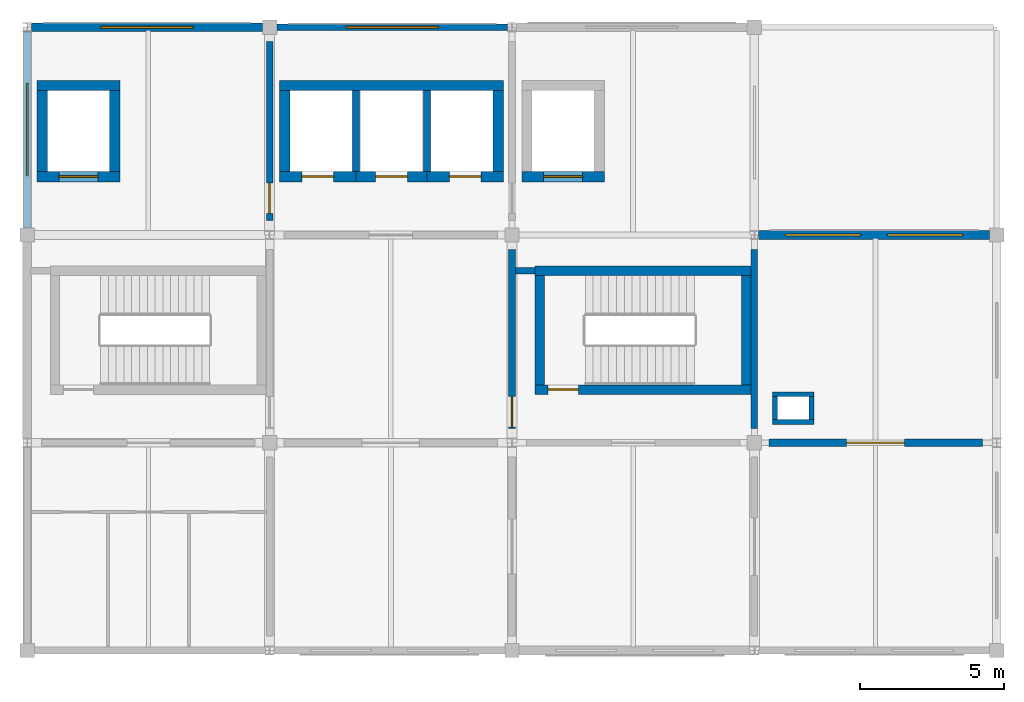
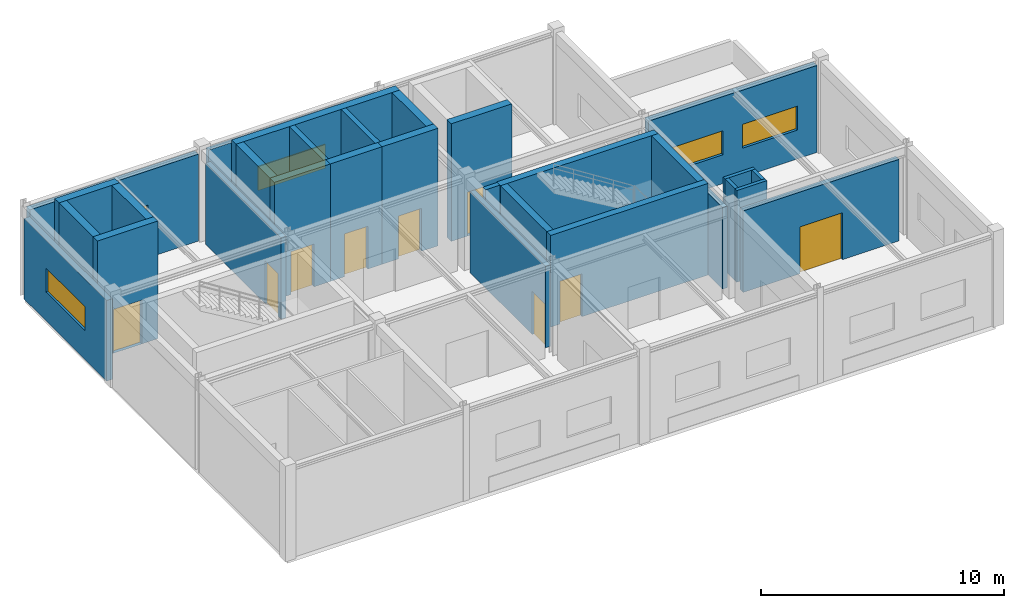
# One storey, part 3 of 5: 30 walls, 9 doors, 5 windows, 14 openings.
"""IFC4 building model written with IfcOpenShell, lengths in metres."""

from ifc_helpers import new_model, si_unit, derived_unit, direction, frame, frame_2d, origin, place, context, subcontext, project, spatial, rectangle, extrude, material, layer, layer_set, type_object, element, fill, save


model = new_model("IFC4")

# Units and contexts
model_context = context("Model", 3, precision=1e-05, world=origin(), true_north=direction((0.0, 1.0)))
body_context = subcontext(model_context, "Body", "Model", "MODEL_VIEW")
ifc_project = project(units=[si_unit("LENGTHUNIT", "METRE"), si_unit("AREAUNIT", "SQUARE_METRE"), si_unit("VOLUMEUNIT", "CUBIC_METRE"), si_unit("PLANEANGLEUNIT", "RADIAN"), si_unit("MASSUNIT", "GRAM", prefix="KILO"), derived_unit("THERMALTRANSMITTANCEUNIT", [(si_unit("MASSUNIT", "GRAM", prefix="KILO"), 1), (si_unit("TIMEUNIT", "SECOND"), -3), (si_unit("THERMODYNAMICTEMPERATUREUNIT", "KELVIN"), -1)])], contexts=[model_context])

# Site, building, storey
site_placement = place(None, origin())
site = spatial("IfcSite", under=ifc_project, at=site_placement, CompositionType="ELEMENT")
building_placement = place(site_placement, origin())
building = spatial("IfcBuilding", under=site, at=building_placement, Name="Veldstrom Oceanarium and Marine Research Institute", CompositionType="ELEMENT")
storey_placement = place(building_placement, frame((0.0, 0.0, 69.0)))
storey = spatial("IfcBuildingStorey", under=building, at=storey_placement, Name="L15", CompositionType="ELEMENT", Elevation=69.0)

# Wall, openings, windows
ifc_material_1 = material(Name="Masonry Cavity Wall", Category="masonry")
ifc_layer_1 = layer(ifc_material_1, 0.31005859375)
ifc_layer_set_1 = layer_set([ifc_layer_1], Name="ARC-WAL-EW1")
wall_type_1 = type_object("IfcWallType", Name="ARC-WAL-EW1", PredefinedType="SOLIDWALL", material=ifc_layer_set_1)
wall_1_placement = place(storey_placement, frame((100.949951171875, 57.60009765625, 0.0), z_axis=(0.0, 0.0, 1.0), x_axis=(1.0, 0.0, 0.0)))
wall_1 = element("IfcWall", 1, at=wall_1_placement, inside=storey, type_object=wall_type_1, Name="Exterior Facade Wall EW1 L15-293", PredefinedType="SOLIDWALL", context=body_context, shape_type="SweptSolid", body=[
    extrude(rectangle(XDim=8.0, YDim=0.31005859375, at=frame_2d((4.0, 0.0))), origin(), (0.0, 0.0, 1.0), 4.364990234375),
])
opening_1_placement = place(wall_1_placement, frame((0.933349609375, 0.0, 1.449951171875)))
opening_1 = element("IfcOpeningElement", 2, at=opening_1_placement, cuts=wall_1, Name="Opening W18", PredefinedType="OPENING", context=body_context, shape_type="SweptSolid", body=[
    extrude(rectangle(XDim=2.60009765625, YDim=1.199951171875, at=frame_2d((1.300048828125, 0.60009765625))), frame((0.0, 0.1650390625, 0.0), z_axis=(0.0, -1.0, 0.0), x_axis=(1.0, 0.0, 0.0)), (0.0, 0.0, 1.0), 0.330078125),
])
opening_2_placement = place(wall_1_placement, frame((4.466796875, 0.0, 1.449951171875)))
opening_2 = element("IfcOpeningElement", 3, at=opening_2_placement, cuts=wall_1, Name="Opening W18", PredefinedType="OPENING", context=body_context, shape_type="SweptSolid", body=[
    extrude(rectangle(XDim=2.60009765625, YDim=1.199951171875, at=frame_2d((1.300048828125, 0.60009765625))), frame((0.0, 0.1650390625, 0.0), z_axis=(0.0, -1.0, 0.0), x_axis=(1.0, 0.0, 0.0)), (0.0, 0.0, 1.0), 0.330078125),
])
ifc_material_2 = material(Name="Double Glazed Low-E IGU", Category="glass")
window_type_1 = type_object("IfcWindowType", Name="ARC-WIN-W18", PartitioningType="SINGLE_PANEL", PredefinedType="WINDOW", material=ifc_material_2)
window_1_placement = place(opening_1_placement, origin())
window_1 = element("IfcWindow", 4, at=window_1_placement, inside=storey, type_object=window_type_1, Name="Facade Window W18 L15-0293", OverallHeight=1.199951171875, OverallWidth=2.60009765625, PartitioningType="SINGLE_PANEL", PredefinedType="WINDOW", context=body_context, shape_type="SweptSolid", body=[
    extrude(rectangle(XDim=2.60009765625, YDim=1.199951171875, at=frame_2d((1.300048828125, 0.60009765625))), frame((0.0, 0.030029296875, 0.0), z_axis=(0.0, -1.0, 0.0), x_axis=(1.0, 0.0, 0.0)), (0.0, 0.0, 1.0), 0.06005859375),
])
fill(opening_1, window_1)
window_2_placement = place(opening_2_placement, origin())
window_2 = element("IfcWindow", 5, at=window_2_placement, inside=storey, type_object=window_type_1, Name="Facade Window W18 L15-0294", OverallHeight=1.199951171875, OverallWidth=2.60009765625, PartitioningType="SINGLE_PANEL", PredefinedType="WINDOW", context=body_context, shape_type="SweptSolid", body=[
    extrude(rectangle(XDim=2.60009765625, YDim=1.199951171875, at=frame_2d((1.300048828125, 0.60009765625))), frame((0.0, 0.030029296875, 0.0), z_axis=(0.0, -1.0, 0.0), x_axis=(1.0, 0.0, 0.0)), (0.0, 0.0, 1.0), 0.06005859375),
])
fill(opening_2, window_2)

# Wall, opening, window
ifc_material_3 = material(Name="Masonry Cavity Wall", Category="masonry")
ifc_layer_2 = layer(ifc_material_3, 0.2900390625)
ifc_layer_set_2 = layer_set([ifc_layer_2], Name="ARC-WAL-EW2")
wall_type_2 = type_object("IfcWallType", Name="ARC-WAL-EW2", PredefinedType="SOLIDWALL", material=ifc_layer_set_2)
wall_2_placement = place(storey_placement, frame((75.75, 64.800048828125, 0.0), z_axis=(0.0, 0.0, 1.0), x_axis=(1.0, 0.0, 0.0)))
wall_2 = element("IfcWall", 6, at=wall_2_placement, inside=storey, type_object=wall_type_2, Name="Exterior Facade Wall EW2 L15-284", PredefinedType="SOLIDWALL", context=body_context, shape_type="SweptSolid", body=[
    extrude(rectangle(XDim=8.0, YDim=0.2900390625, at=frame_2d((4.0, 0.0))), origin(), (0.0, 0.0, 1.0), 4.364990234375),
])
opening_3_placement = place(wall_2_placement, frame((2.39990234375, 0.0, 1.449951171875)))
opening_3 = element("IfcOpeningElement", 7, at=opening_3_placement, cuts=wall_2, Name="Opening W17", PredefinedType="OPENING", context=body_context, shape_type="SweptSolid", body=[
    extrude(rectangle(XDim=3.199951171875, YDim=1.199951171875, at=frame_2d((1.60009765625, 0.60009765625))), frame((0.0, 0.155029296875, 0.0), z_axis=(0.0, -1.0, 0.0), x_axis=(1.0, 0.0, 0.0)), (0.0, 0.0, 1.0), 0.31005859375),
])
ifc_material_4 = material(Name="Double Glazed Low-E IGU", Category="glass")
window_type_2 = type_object("IfcWindowType", Name="ARC-WIN-W17", PartitioningType="SINGLE_PANEL", PredefinedType="WINDOW", material=ifc_material_4)
window_3_placement = place(opening_3_placement, origin())
window_3 = element("IfcWindow", 8, at=window_3_placement, inside=storey, type_object=window_type_2, Name="Facade Window W17 L15-0280", OverallHeight=1.199951171875, OverallWidth=3.199951171875, PartitioningType="SINGLE_PANEL", PredefinedType="WINDOW", context=body_context, shape_type="SweptSolid", body=[
    extrude(rectangle(XDim=3.199951171875, YDim=1.199951171875, at=frame_2d((1.60009765625, 0.60009765625))), frame((0.0, 0.030029296875, 0.0), z_axis=(0.0, -1.0, 0.0), x_axis=(1.0, 0.0, 0.0)), (0.0, 0.0, 1.0), 0.06005859375),
])
fill(opening_3, window_3)

ifc_material_5 = material(Name="Masonry Cavity Wall", Category="masonry")
ifc_layer_3 = layer(ifc_material_5, 0.27001953125)
ifc_layer_set_3 = layer_set([ifc_layer_3], Name="ARC-WAL-EW3")
wall_type_3 = type_object("IfcWallType", Name="ARC-WAL-EW3", PredefinedType="SOLIDWALL", material=ifc_layer_set_3)
wall_3_placement = place(storey_placement, frame((75.60009765625, 57.85009765625, 0.0), z_axis=(0.0, 0.0, 1.0), x_axis=(0.0, 1.0, 0.0)))
wall_3 = element("IfcWall", 9, at=wall_3_placement, inside=storey, type_object=wall_type_3, Name="Exterior Facade Wall EW3 L15-285", PredefinedType="SOLIDWALL", context=body_context, shape_type="SweptSolid", body=[
    extrude(rectangle(XDim=6.7998046875, YDim=0.27001953125, at=frame_2d((3.39990234375, 0.0))), origin(), (0.0, 0.0, 1.0), 4.044921875),
])
opening_4_placement = place(wall_3_placement, frame((1.800048828125, 0.0, 1.449951171875)))
opening_4 = element("IfcOpeningElement", 10, at=opening_4_placement, cuts=wall_3, Name="Opening W17", PredefinedType="OPENING", context=body_context, shape_type="SweptSolid", body=[
    extrude(rectangle(XDim=3.199951171875, YDim=1.199951171875, at=frame_2d((1.60009765625, 0.60009765625))), frame((0.0, 0.14501953125, 0.0), z_axis=(0.0, -1.0, 0.0), x_axis=(1.0, 0.0, 0.0)), (0.0, 0.0, 1.0), 0.2900390625),
])
window_4_placement = place(opening_4_placement, origin())
window_4 = element("IfcWindow", 11, at=window_4_placement, inside=storey, type_object=window_type_2, Name="Facade Window W17 L15-0281", OverallHeight=1.199951171875, OverallWidth=3.199951171875, PartitioningType="SINGLE_PANEL", PredefinedType="WINDOW", context=body_context, shape_type="SweptSolid", body=[
    extrude(rectangle(XDim=3.199951171875, YDim=1.199951171875, at=frame_2d((1.60009765625, 0.60009765625))), frame((0.0, 0.030029296875, 0.0), z_axis=(0.0, -1.0, 0.0), x_axis=(1.0, 0.0, 0.0)), (0.0, 0.0, 1.0), 0.06005859375),
])
fill(opening_4, window_4)

ifc_material_6 = material(Name="Masonry Cavity Wall", Category="masonry")
ifc_layer_4 = layer(ifc_material_6, 0.215087890625)
ifc_layer_set_4 = layer_set([ifc_layer_4], Name="ARC-WAL-EW6")
wall_type_4 = type_object("IfcWallType", Name="ARC-WAL-EW6", PredefinedType="SOLIDWALL", material=ifc_layer_set_4)
wall_4_placement = place(storey_placement, frame((84.25, 64.800048828125, 0.0), z_axis=(0.0, 0.0, 1.0), x_axis=(1.0, 0.0, 0.0)))
wall_4 = element("IfcWall", 12, at=wall_4_placement, inside=storey, type_object=wall_type_4, Name="Exterior Facade Wall EW6 L15-287", PredefinedType="SOLIDWALL", context=body_context, shape_type="SweptSolid", body=[
    extrude(rectangle(XDim=8.0, YDim=0.215087890625, at=frame_2d((4.0, 0.0))), origin(), (0.0, 0.0, 1.0), 4.364990234375),
])
opening_5_placement = place(wall_4_placement, frame((2.39990234375, 0.0, 1.449951171875)))
opening_5 = element("IfcOpeningElement", 13, at=opening_5_placement, cuts=wall_4, Name="Opening W17", PredefinedType="OPENING", context=body_context, shape_type="SweptSolid", body=[
    extrude(rectangle(XDim=3.199951171875, YDim=1.199951171875, at=frame_2d((1.60009765625, 0.60009765625))), frame((0.0, 0.117431640625, 0.0), z_axis=(0.0, -1.0, 0.0), x_axis=(1.0, 0.0, 0.0)), (0.0, 0.0, 1.0), 0.235107421875),
])
window_5_placement = place(opening_5_placement, origin())
window_5 = element("IfcWindow", 14, at=window_5_placement, inside=storey, type_object=window_type_2, Name="Facade Window W17 L15-0284", OverallHeight=1.199951171875, OverallWidth=3.199951171875, PartitioningType="SINGLE_PANEL", PredefinedType="WINDOW", context=body_context, shape_type="SweptSolid", body=[
    extrude(rectangle(XDim=3.199951171875, YDim=1.199951171875, at=frame_2d((1.60009765625, 0.60009765625))), frame((0.0, 0.030029296875, 0.0), z_axis=(0.0, -1.0, 0.0), x_axis=(1.0, 0.0, 0.0)), (0.0, 0.0, 1.0), 0.06005859375),
])
fill(opening_5, window_5)

# Wall, opening, door
ifc_material_7 = material(Name="Masonry Fire Compartment Wall", Category="masonry")
ifc_layer_5 = layer(ifc_material_7, 0.22998046875)
ifc_layer_set_5 = layer_set([ifc_layer_5], Name="ARC-WAL-PT1")
wall_type_5 = type_object("IfcWallType", Name="ARC-WAL-PT1", PredefinedType="PARTITIONING", material=ifc_layer_set_5)
wall_5_placement = place(storey_placement, frame((84.0, 58.10009765625, 0.0), z_axis=(0.0, 0.0, 1.0), x_axis=(0.0, 1.0, 0.0)))
wall_5 = element("IfcWall", 15, at=wall_5_placement, inside=storey, type_object=wall_type_5, Name="Interior Partition PT1 L15-1792", PredefinedType="PARTITIONING", context=body_context, shape_type="SweptSolid", body=[
    extrude(rectangle(XDim=6.199951171875, YDim=0.22998046875, at=frame_2d((3.10009765625, 0.0))), origin(), (0.0, 0.0, 1.0), 4.094970703125),
])
opening_6_placement = place(wall_5_placement, frame((0.25, 0.0, 0.0)))
opening_6 = element("IfcOpeningElement", 16, at=opening_6_placement, cuts=wall_5, Name="Opening D-L15-1111", PredefinedType="OPENING", context=body_context, shape_type="SweptSolid", body=[
    extrude(rectangle(XDim=1.050048828125, YDim=2.14990234375, at=frame_2d((0.52490234375, 1.074951171875))), frame((0.0, 0.125, 0.0), z_axis=(0.0, -1.0, 0.0), x_axis=(1.0, 0.0, 0.0)), (0.0, 0.0, 1.0), 0.25),
])
ifc_material_8 = material(Name="Painted Steel Fire Door", Category="steel")
door_type_1 = type_object("IfcDoorType", Name="ARC-DOR-SD1", OperationType="SINGLE_SWING_LEFT", PredefinedType="DOOR", material=ifc_material_8)
door_1_placement = place(opening_6_placement, frame((1.050048828125, 0.0, 0.0), z_axis=(0.0, 0.0, 1.0), x_axis=(-1.0, 0.0, 0.0)))
door_1 = element("IfcDoor", 17, at=door_1_placement, inside=storey, type_object=door_type_1, Name="Interior Door D-L15-1111", OperationType="SINGLE_SWING_RIGHT", OverallHeight=2.14990234375, OverallWidth=1.050048828125, PredefinedType="DOOR", context=body_context, shape_type="SweptSolid", body=[
    extrude(rectangle(XDim=1.050048828125, YDim=2.14990234375, at=frame_2d((0.52490234375, 1.074951171875))), frame((0.0, 0.02490234375, 0.0), z_axis=(0.0, -1.0, 0.0), x_axis=(1.0, 0.0, 0.0)), (0.0, 0.0, 1.0), 0.050048828125),
])
fill(opening_6, door_1)

wall_6_placement = place(storey_placement, frame((92.39990234375, 50.89990234375, 0.0), z_axis=(0.0, 0.0, 1.0), x_axis=(0.0, 1.0, 0.0)))
wall_6 = element("IfcWall", 18, at=wall_6_placement, inside=storey, type_object=wall_type_5, Name="Interior Partition PT1 L15-1795", PredefinedType="PARTITIONING", context=body_context, shape_type="SweptSolid", body=[
    extrude(rectangle(XDim=6.2001953125, YDim=0.22998046875, at=frame_2d((3.10009765625, 0.0))), origin(), (0.0, 0.0, 1.0), 4.094970703125),
])
opening_7_placement = place(wall_6_placement, frame((0.050048828125, 0.0, 0.0)))
opening_7 = element("IfcOpeningElement", 19, at=opening_7_placement, cuts=wall_6, Name="Opening D-L15-1114", PredefinedType="OPENING", context=body_context, shape_type="SweptSolid", body=[
    extrude(rectangle(XDim=1.050048828125, YDim=2.14990234375, at=frame_2d((0.52490234375, 1.074951171875))), frame((0.0, 0.125, 0.0), z_axis=(0.0, -1.0, 0.0), x_axis=(1.0, 0.0, 0.0)), (0.0, 0.0, 1.0), 0.25),
])
door_2_placement = place(opening_7_placement, frame((1.050048828125, 0.0, 0.0), z_axis=(0.0, 0.0, 1.0), x_axis=(-1.0, 0.0, 0.0)))
door_2 = element("IfcDoor", 20, at=door_2_placement, inside=storey, type_object=door_type_1, Name="Interior Door D-L15-1114", OperationType="SINGLE_SWING_RIGHT", OverallHeight=2.14990234375, OverallWidth=1.050048828125, PredefinedType="DOOR", context=body_context, shape_type="SweptSolid", body=[
    extrude(rectangle(XDim=1.050048828125, YDim=2.14990234375, at=frame_2d((0.52490234375, 1.074951171875))), frame((0.0, 0.02490234375, 0.0), z_axis=(0.0, -1.0, 0.0), x_axis=(1.0, 0.0, 0.0)), (0.0, 0.0, 1.0), 0.050048828125),
])
fill(opening_7, door_2)

# Walls
wall_7_placement = place(storey_placement, frame((100.800048828125, 50.89990234375, 0.0), z_axis=(0.0, 0.0, 1.0), x_axis=(0.0, 1.0, 0.0)))
element("IfcWall", 21, at=wall_7_placement, inside=storey, type_object=wall_type_5, Name="Interior Partition PT1 L15-1800", PredefinedType="PARTITIONING", context=body_context, shape_type="SweptSolid", body=[
    extrude(rectangle(XDim=6.2001953125, YDim=0.22998046875, at=frame_2d((3.10009765625, 0.0))), origin(), (0.0, 0.0, 1.0), 4.094970703125),
])
wall_8_placement = place(storey_placement, frame((92.52001953125, 56.360107421875, 0.0), z_axis=(0.0, 0.0, 1.0), x_axis=(1.0, 0.0, 0.0)))
element("IfcWall", 22, at=wall_8_placement, inside=storey, type_object=wall_type_5, Name="Interior Partition PT1 L15-1801", PredefinedType="PARTITIONING", context=body_context, shape_type="SweptSolid", body=[
    extrude(rectangle(XDim=0.679931640625, YDim=0.22998046875, at=frame_2d((0.33984375, 0.0))), origin(), (0.0, 0.0, 1.0), 4.60009765625),
])

# Wall, opening, door
ifc_material_9 = material(Name="Plant Acoustic Masonry Wall", Category="masonry")
ifc_layer_6 = layer(ifc_material_9, 0.260009765625)
ifc_layer_set_6 = layer_set([ifc_layer_6], Name="ARC-WAL-PT8")
wall_type_6 = type_object("IfcWallType", Name="ARC-WAL-PT8", PredefinedType="PARTITIONING", material=ifc_layer_set_6)
wall_9_placement = place(storey_placement, frame((101.300048828125, 50.39990234375, 0.0), z_axis=(0.0, 0.0, 1.0), x_axis=(1.0, 0.0, 0.0)))
wall_9 = element("IfcWall", 23, at=wall_9_placement, inside=storey, type_object=wall_type_6, Name="Interior Partition PT8 L15-1802", PredefinedType="PARTITIONING", context=body_context, shape_type="SweptSolid", body=[
    extrude(rectangle(XDim=7.39990234375, YDim=0.260009765625, at=frame_2d((3.699951171875, 0.0))), origin(), (0.0, 0.0, 1.0), 4.094970703125),
])
opening_8_placement = place(wall_9_placement, frame((2.699951171875, 0.0, 0.0)))
opening_8 = element("IfcOpeningElement", 24, at=opening_8_placement, cuts=wall_9, Name="Opening D-L15-1119", PredefinedType="OPENING", context=body_context, shape_type="SweptSolid", body=[
    extrude(rectangle(XDim=2.0, YDim=2.35009765625, at=frame_2d((1.0, 1.175048828125))), frame((0.0, 0.139892578125, 0.0), z_axis=(0.0, -1.0, 0.0), x_axis=(1.0, 0.0, 0.0)), (0.0, 0.0, 1.0), 0.280029296875),
])
ifc_material_10 = material(Name="Filtration Hall Double Door", Category="steel")
door_type_2 = type_object("IfcDoorType", Name="ARC-DOR-ID18", OperationType="DOUBLE_DOOR_SINGLE_SWING", PredefinedType="DOOR", material=ifc_material_10)
door_3_placement = place(opening_8_placement, frame((2.0, 0.0, 0.0), z_axis=(0.0, 0.0, 1.0), x_axis=(-1.0, 0.0, 0.0)))
door_3 = element("IfcDoor", 25, at=door_3_placement, inside=storey, type_object=door_type_2, Name="Interior Door D-L15-1119", OperationType="DOUBLE_DOOR_SINGLE_SWING", OverallHeight=2.35009765625, OverallWidth=2.0, PredefinedType="DOOR", context=body_context, shape_type="SweptSolid", body=[
    extrude(rectangle(XDim=2.0, YDim=2.35009765625, at=frame_2d((1.0, 1.175048828125))), frame((0.0, 0.02490234375, 0.0), z_axis=(0.0, -1.0, 0.0), x_axis=(1.0, 0.0, 0.0)), (0.0, 0.0, 1.0), 0.050048828125),
])
fill(opening_8, door_3)

# Walls
ifc_material_11 = material(Name="Service Riser Fire Shaft Wall", Category="masonry")
ifc_layer_7 = layer(ifc_material_11, 0.1650390625)
ifc_layer_set_7 = layer_set([ifc_layer_7], Name="ARC-WAL-PT9")
wall_type_7 = type_object("IfcWallType", Name="ARC-WAL-PT9", PredefinedType="PARTITIONING", material=ifc_layer_set_7)
for number, where, z_axis, x_axis, name in (
    (26, (101.43505859375, 51.117431640625, 0.0), (0.0, 0.0, 1.0), (1.0, 0.0, 0.0), "Service Riser Fire Shaft Wall L15-CE-S"),
    (27, (101.43505859375, 52.08251953125, 0.0), (0.0, 0.0, 1.0), (1.0, 0.0, 0.0), "Service Riser Fire Shaft Wall L15-CE-N"),
):
    element("IfcWall", number, at=place(storey_placement, frame(where, z_axis=z_axis, x_axis=x_axis)), inside=storey, type_object=wall_type_7, Name=name, PredefinedType="PARTITIONING", context=body_context, shape_type="SweptSolid", body=[
        extrude(rectangle(XDim=1.429931640625, YDim=0.1650390625, at=frame_2d((0.71484375, 0.0))), origin(), (0.0, 0.0, 1.0), 4.60009765625),
    ])
for number, where, z_axis, x_axis, name in (
    (28, (101.517578125, 51.199951171875, 0.0), (0.0, 0.0, 1.0), (0.0, 1.0, 0.0), "Service Riser Fire Shaft Wall L15-CE-W"),
    (29, (102.782470703125, 51.199951171875, 0.0), (0.0, 0.0, 1.0), (0.0, 1.0, 0.0), "Service Riser Fire Shaft Wall L15-CE-E"),
):
    element("IfcWall", number, at=place(storey_placement, frame(where, z_axis=z_axis, x_axis=x_axis)), inside=storey, type_object=wall_type_7, Name=name, PredefinedType="PARTITIONING", context=body_context, shape_type="SweptSolid", body=[
        extrude(rectangle(XDim=0.800048828125, YDim=0.1650390625, at=frame_2d((0.39990234375, 0.0))), origin(), (0.0, 0.0, 1.0), 4.60009765625),
    ])
ifc_material_12 = material(Name="Concrete C40/50", Category="concrete")
ifc_layer_8 = layer(ifc_material_12, 0.360107421875)
ifc_layer_set_8 = layer_set([ifc_layer_8], Name="STR-WAL-WC2")
wall_type_8 = type_object("IfcWallType", Name="STR-WAL-WC2", PredefinedType="SHEAR", material=ifc_layer_set_8)
wall_10_placement = place(storey_placement, frame((75.93994140625, 62.780029296875, 0.0), z_axis=(0.0, 0.0, 1.0), x_axis=(1.0, 0.0, 0.0)))
element("IfcWall", 30, at=wall_10_placement, inside=storey, type_object=wall_type_8, Name="Lift Shaft Shear Wall N L15 9/8", PredefinedType="SHEAR", context=body_context, shape_type="SweptSolid", body=[
    extrude(rectangle(XDim=2.8701171875, YDim=0.360107421875, at=frame_2d((1.43505859375, 0.0))), origin(), (0.0, 0.0, 1.0), 5.89990234375),
])

# Wall, opening, door
wall_11_placement = place(storey_placement, frame((75.93994140625, 59.6201171875, 0.0), z_axis=(0.0, 0.0, 1.0), x_axis=(1.0, 0.0, 0.0)))
wall_11 = element("IfcWall", 31, at=wall_11_placement, inside=storey, type_object=wall_type_8, Name="Lift Shaft Front Shear Wall LF1 L15", PredefinedType="SHEAR", context=body_context, shape_type="SweptSolid", body=[
    extrude(rectangle(XDim=2.8701171875, YDim=0.360107421875, at=frame_2d((1.43505859375, 0.0))), origin(), (0.0, 0.0, 1.0), 5.89990234375),
])
opening_9_placement = place(wall_11_placement, frame((0.760009765625, 0.0, 0.0)))
opening_9 = element("IfcOpeningElement", 32, at=opening_9_placement, cuts=wall_11, Name="Opening LD-LF1-L15", PredefinedType="OPENING", context=body_context, shape_type="SweptSolid", body=[
    extrude(rectangle(XDim=1.35009765625, YDim=2.199951171875, at=frame_2d((0.675048828125, 1.10009765625))), frame((0.0, 0.18994140625, 0.0), z_axis=(0.0, -1.0, 0.0), x_axis=(1.0, 0.0, 0.0)), (0.0, 0.0, 1.0), 0.380126953125),
])
ifc_material_13 = material(Name="Stainless Steel Lift Landing Door", Category="steel")
door_type_3 = type_object("IfcDoorType", Name="ARC-DOR-LD3", OperationType="DOUBLE_DOOR_SLIDING", PredefinedType="DOOR", material=ifc_material_13)
door_4_placement = place(opening_9_placement, origin())
door_4 = element("IfcDoor", 33, at=door_4_placement, inside=storey, type_object=door_type_3, Name="Lift Landing Door LD-LF1-L15", OperationType="DOUBLE_DOOR_SLIDING", OverallHeight=2.199951171875, OverallWidth=1.35009765625, PredefinedType="DOOR", context=body_context, shape_type="SweptSolid", body=[
    extrude(rectangle(XDim=1.35009765625, YDim=2.199951171875, at=frame_2d((0.675048828125, 1.10009765625))), frame((0.0, 0.02490234375, 0.0), z_axis=(0.0, -1.0, 0.0), x_axis=(1.0, 0.0, 0.0)), (0.0, 0.0, 1.0), 0.050048828125),
])
fill(opening_9, door_4)

# Walls
for number, where, z_axis, x_axis, name in (
    (34, (76.1201171875, 59.800048828125, 0.0), (0.0, 0.0, 1.0), (0.0, 1.0, 0.0), "Lift Shaft Shear Wall W L15 9/8"),
    (35, (78.6298828125, 59.800048828125, 0.0), (0.0, 0.0, 1.0), (0.0, 1.0, 0.0), "Lift Shaft Shear Wall E L15 9/8"),
):
    element("IfcWall", number, at=place(storey_placement, frame(where, z_axis=z_axis, x_axis=x_axis)), inside=storey, type_object=wall_type_8, Name=name, PredefinedType="SHEAR", context=body_context, shape_type="SweptSolid", body=[
        extrude(rectangle(XDim=2.800048828125, YDim=0.360107421875, at=frame_2d((1.39990234375, 0.0))), origin(), (0.0, 0.0, 1.0), 5.89990234375),
    ])
wall_12_placement = place(storey_placement, frame((84.340087890625, 62.780029296875, 0.0), z_axis=(0.0, 0.0, 1.0), x_axis=(1.0, 0.0, 0.0)))
element("IfcWall", 36, at=wall_12_placement, inside=storey, type_object=wall_type_8, Name="Lift Shaft Shear Wall N L15 10/8", PredefinedType="SHEAR", context=body_context, shape_type="SweptSolid", body=[
    extrude(rectangle(XDim=7.77001953125, YDim=0.360107421875, at=frame_2d((3.885009765625, 0.0))), origin(), (0.0, 0.0, 1.0), 5.89990234375),
])

# Wall, opening, door
wall_13_placement = place(storey_placement, frame((84.340087890625, 59.6201171875, 0.0), z_axis=(0.0, 0.0, 1.0), x_axis=(1.0, 0.0, 0.0)))
wall_13 = element("IfcWall", 37, at=wall_13_placement, inside=storey, type_object=wall_type_8, Name="Lift Shaft Front Shear Wall LP1 L15", PredefinedType="SHEAR", context=body_context, shape_type="SweptSolid", body=[
    extrude(rectangle(XDim=2.659912109375, YDim=0.360107421875, at=frame_2d((1.330078125, 0.0))), origin(), (0.0, 0.0, 1.0), 5.89990234375),
])
opening_10_placement = place(wall_13_placement, frame((0.780029296875, 0.0, 0.0)))
opening_10 = element("IfcOpeningElement", 38, at=opening_10_placement, cuts=wall_13, Name="Opening LD-LP1-L15", PredefinedType="OPENING", context=body_context, shape_type="SweptSolid", body=[
    extrude(rectangle(XDim=1.10009765625, YDim=2.14990234375, at=frame_2d((0.550048828125, 1.074951171875))), frame((0.0, 0.18994140625, 0.0), z_axis=(0.0, -1.0, 0.0), x_axis=(1.0, 0.0, 0.0)), (0.0, 0.0, 1.0), 0.380126953125),
])
ifc_material_14 = material(Name="Stainless Steel Lift Landing Door", Category="steel")
door_type_4 = type_object("IfcDoorType", Name="ARC-DOR-LD1", OperationType="DOUBLE_DOOR_SLIDING", PredefinedType="DOOR", material=ifc_material_14)
door_5_placement = place(opening_10_placement, origin())
door_5 = element("IfcDoor", 39, at=door_5_placement, inside=storey, type_object=door_type_4, Name="Lift Landing Door LD-LP1-L15", OperationType="DOUBLE_DOOR_SLIDING", OverallHeight=2.14990234375, OverallWidth=1.10009765625, PredefinedType="DOOR", context=body_context, shape_type="SweptSolid", body=[
    extrude(rectangle(XDim=1.10009765625, YDim=2.14990234375, at=frame_2d((0.550048828125, 1.074951171875))), frame((0.0, 0.02490234375, 0.0), z_axis=(0.0, -1.0, 0.0), x_axis=(1.0, 0.0, 0.0)), (0.0, 0.0, 1.0), 0.050048828125),
])
fill(opening_10, door_5)

wall_14_placement = place(storey_placement, frame((87.0, 59.6201171875, 0.0), z_axis=(0.0, 0.0, 1.0), x_axis=(1.0, 0.0, 0.0)))
wall_14 = element("IfcWall", 40, at=wall_14_placement, inside=storey, type_object=wall_type_8, Name="Lift Shaft Front Shear Wall LP2 L15", PredefinedType="SHEAR", context=body_context, shape_type="SweptSolid", body=[
    extrude(rectangle(XDim=2.449951171875, YDim=0.360107421875, at=frame_2d((1.22509765625, 0.0))), origin(), (0.0, 0.0, 1.0), 5.89990234375),
])
opening_11_placement = place(wall_14_placement, frame((0.675048828125, 0.0, 0.0)))
opening_11 = element("IfcOpeningElement", 41, at=opening_11_placement, cuts=wall_14, Name="Opening LD-LP2-L15", PredefinedType="OPENING", context=body_context, shape_type="SweptSolid", body=[
    extrude(rectangle(XDim=1.10009765625, YDim=2.14990234375, at=frame_2d((0.550048828125, 1.074951171875))), frame((0.0, 0.18994140625, 0.0), z_axis=(0.0, -1.0, 0.0), x_axis=(1.0, 0.0, 0.0)), (0.0, 0.0, 1.0), 0.380126953125),
])
door_6_placement = place(opening_11_placement, origin())
door_6 = element("IfcDoor", 42, at=door_6_placement, inside=storey, type_object=door_type_4, Name="Lift Landing Door LD-LP2-L15", OperationType="DOUBLE_DOOR_SLIDING", OverallHeight=2.14990234375, OverallWidth=1.10009765625, PredefinedType="DOOR", context=body_context, shape_type="SweptSolid", body=[
    extrude(rectangle(XDim=1.10009765625, YDim=2.14990234375, at=frame_2d((0.550048828125, 1.074951171875))), frame((0.0, 0.02490234375, 0.0), z_axis=(0.0, -1.0, 0.0), x_axis=(1.0, 0.0, 0.0)), (0.0, 0.0, 1.0), 0.050048828125),
])
fill(opening_11, door_6)

wall_15_placement = place(storey_placement, frame((89.449951171875, 59.6201171875, 0.0), z_axis=(0.0, 0.0, 1.0), x_axis=(1.0, 0.0, 0.0)))
wall_15 = element("IfcWall", 43, at=wall_15_placement, inside=storey, type_object=wall_type_8, Name="Lift Shaft Front Shear Wall LP3 L15", PredefinedType="SHEAR", context=body_context, shape_type="SweptSolid", body=[
    extrude(rectangle(XDim=2.66015625, YDim=0.360107421875, at=frame_2d((1.330078125, 0.0))), origin(), (0.0, 0.0, 1.0), 5.89990234375),
])
opening_12_placement = place(wall_15_placement, frame((0.780029296875, 0.0, 0.0)))
opening_12 = element("IfcOpeningElement", 44, at=opening_12_placement, cuts=wall_15, Name="Opening LD-LP3-L15", PredefinedType="OPENING", context=body_context, shape_type="SweptSolid", body=[
    extrude(rectangle(XDim=1.10009765625, YDim=2.14990234375, at=frame_2d((0.550048828125, 1.074951171875))), frame((0.0, 0.18994140625, 0.0), z_axis=(0.0, -1.0, 0.0), x_axis=(1.0, 0.0, 0.0)), (0.0, 0.0, 1.0), 0.380126953125),
])
door_7_placement = place(opening_12_placement, origin())
door_7 = element("IfcDoor", 45, at=door_7_placement, inside=storey, type_object=door_type_4, Name="Lift Landing Door LD-LP3-L15", OperationType="DOUBLE_DOOR_SLIDING", OverallHeight=2.14990234375, OverallWidth=1.10009765625, PredefinedType="DOOR", context=body_context, shape_type="SweptSolid", body=[
    extrude(rectangle(XDim=1.10009765625, YDim=2.14990234375, at=frame_2d((0.550048828125, 1.074951171875))), frame((0.0, 0.02490234375, 0.0), z_axis=(0.0, -1.0, 0.0), x_axis=(1.0, 0.0, 0.0)), (0.0, 0.0, 1.0), 0.050048828125),
])
fill(opening_12, door_7)

# Walls
for number, where, z_axis, x_axis, name in (
    (46, (84.52001953125, 59.800048828125, 0.0), (0.0, 0.0, 1.0), (0.0, 1.0, 0.0), "Lift Shaft Shear Wall W L15 10/8"),
    (47, (91.929931640625, 59.800048828125, 0.0), (0.0, 0.0, 1.0), (0.0, 1.0, 0.0), "Lift Shaft Shear Wall E L15 10/8"),
):
    element("IfcWall", number, at=place(storey_placement, frame(where, z_axis=z_axis, x_axis=x_axis)), inside=storey, type_object=wall_type_8, Name=name, PredefinedType="SHEAR", context=body_context, shape_type="SweptSolid", body=[
        extrude(rectangle(XDim=2.800048828125, YDim=0.360107421875, at=frame_2d((1.39990234375, 0.0))), origin(), (0.0, 0.0, 1.0), 5.89990234375),
    ])

# Wall, opening, door
wall_16_placement = place(storey_placement, frame((92.739990234375, 59.6201171875, 0.0), z_axis=(0.0, 0.0, 1.0), x_axis=(1.0, 0.0, 0.0)))
wall_16 = element("IfcWall", 48, at=wall_16_placement, inside=storey, type_object=wall_type_8, Name="Lift Shaft Front Shear Wall LF2 L15", PredefinedType="SHEAR", context=body_context, shape_type="SweptSolid", body=[
    extrude(rectangle(XDim=2.8701171875, YDim=0.360107421875, at=frame_2d((1.43505859375, 0.0))), origin(), (0.0, 0.0, 1.0), 5.89990234375),
])
opening_13_placement = place(wall_16_placement, frame((0.760009765625, 0.0, 0.0)))
opening_13 = element("IfcOpeningElement", 49, at=opening_13_placement, cuts=wall_16, Name="Opening LD-LF2-L15", PredefinedType="OPENING", context=body_context, shape_type="SweptSolid", body=[
    extrude(rectangle(XDim=1.35009765625, YDim=2.199951171875, at=frame_2d((0.675048828125, 1.10009765625))), frame((0.0, 0.18994140625, 0.0), z_axis=(0.0, -1.0, 0.0), x_axis=(1.0, 0.0, 0.0)), (0.0, 0.0, 1.0), 0.380126953125),
])
door_8_placement = place(opening_13_placement, origin())
door_8 = element("IfcDoor", 50, at=door_8_placement, inside=storey, type_object=door_type_3, Name="Lift Landing Door LD-LF2-L15", OperationType="DOUBLE_DOOR_SLIDING", OverallHeight=2.199951171875, OverallWidth=1.35009765625, PredefinedType="DOOR", context=body_context, shape_type="SweptSolid", body=[
    extrude(rectangle(XDim=1.35009765625, YDim=2.199951171875, at=frame_2d((0.675048828125, 1.10009765625))), frame((0.0, 0.02490234375, 0.0), z_axis=(0.0, -1.0, 0.0), x_axis=(1.0, 0.0, 0.0)), (0.0, 0.0, 1.0), 0.050048828125),
])
fill(opening_13, door_8)

ifc_material_15 = material(Name="Concrete C40/50", Category="concrete")
ifc_layer_9 = layer(ifc_material_15, 0.320068359375)
ifc_layer_set_9 = layer_set([ifc_layer_9], Name="STR-WAL-WC3")
wall_type_9 = type_object("IfcWallType", Name="STR-WAL-WC3", PredefinedType="SHEAR", material=ifc_layer_set_9)
wall_17_placement = place(storey_placement, frame((93.199951171875, 52.239990234375, 0.0), z_axis=(0.0, 0.0, 1.0), x_axis=(1.0, 0.0, 0.0)))
wall_17 = element("IfcWall", 51, at=wall_17_placement, inside=storey, type_object=wall_type_9, Name="Stair Core Shear Wall SC2-L15-S", PredefinedType="SHEAR", context=body_context, shape_type="SweptSolid", body=[
    extrude(rectangle(XDim=7.47998046875, YDim=0.320068359375, at=frame_2d((3.739990234375, 0.0))), origin(), (0.0, 0.0, 1.0), 4.60009765625),
])
opening_14_placement = place(wall_17_placement, frame((0.449951171875, 0.0, 0.0)))
opening_14 = element("IfcOpeningElement", 52, at=opening_14_placement, cuts=wall_17, Name="Opening D-ST2-L15", PredefinedType="OPENING", context=body_context, shape_type="SweptSolid", body=[
    extrude(rectangle(XDim=1.050048828125, YDim=2.14990234375, at=frame_2d((0.52490234375, 1.074951171875))), frame((0.0, 0.169921875, 0.0), z_axis=(0.0, -1.0, 0.0), x_axis=(1.0, 0.0, 0.0)), (0.0, 0.0, 1.0), 0.340087890625),
])
door_9_placement = place(opening_14_placement, origin())
door_9 = element("IfcDoor", 53, at=door_9_placement, inside=storey, type_object=door_type_1, Name="Escape Stair Fire Door D-ST2-L15", OperationType="SINGLE_SWING_LEFT", OverallHeight=2.14990234375, OverallWidth=1.050048828125, PredefinedType="DOOR", context=body_context, shape_type="SweptSolid", body=[
    extrude(rectangle(XDim=1.050048828125, YDim=2.14990234375, at=frame_2d((0.52490234375, 1.074951171875))), frame((0.0, 0.02490234375, 0.0), z_axis=(0.0, -1.0, 0.0), x_axis=(1.0, 0.0, 0.0)), (0.0, 0.0, 1.0), 0.050048828125),
])
fill(opening_14, door_9)

# Walls
wall_18_placement = place(storey_placement, frame((93.199951171875, 56.360107421875, 0.0), z_axis=(0.0, 0.0, 1.0), x_axis=(1.0, 0.0, 0.0)))
element("IfcWall", 54, at=wall_18_placement, inside=storey, type_object=wall_type_9, Name="Stair Core Shear Wall SC2-L15-N", PredefinedType="SHEAR", context=body_context, shape_type="SweptSolid", body=[
    extrude(rectangle(XDim=7.47998046875, YDim=0.320068359375, at=frame_2d((3.739990234375, 0.0))), origin(), (0.0, 0.0, 1.0), 4.60009765625),
])
for number, where, z_axis, x_axis, name in (
    (55, (93.360107421875, 52.39990234375, 0.0), (0.0, 0.0, 1.0), (0.0, 1.0, 0.0), "Stair Core Shear Wall SC2-L15-W"),
    (56, (100.52001953125, 52.39990234375, 0.0), (0.0, 0.0, 1.0), (0.0, 1.0, 0.0), "Stair Core Shear Wall SC2-L15-E"),
):
    element("IfcWall", number, at=place(storey_placement, frame(where, z_axis=z_axis, x_axis=x_axis)), inside=storey, type_object=wall_type_9, Name=name, PredefinedType="SHEAR", context=body_context, shape_type="SweptSolid", body=[
        extrude(rectangle(XDim=3.800048828125, YDim=0.320068359375, at=frame_2d((1.89990234375, 0.0))), origin(), (0.0, 0.0, 1.0), 4.60009765625),
    ])
ifc_material_16 = material(Name="Concrete C40/50", Category="concrete")
ifc_layer_10 = layer(ifc_material_16, 0.239990234375)
ifc_layer_set_10 = layer_set([ifc_layer_10], Name="STR-WAL-WC4")
wall_type_10 = type_object("IfcWallType", Name="STR-WAL-WC4", PredefinedType="SHEAR", material=ifc_layer_set_10)
for number, where, z_axis, x_axis, name in (
    (57, (87.0, 59.800048828125, 0.0), (0.0, 0.0, 1.0), (0.0, 1.0, 0.0), "Lift Shaft Divider Wall L15 10/8-1"),
    (58, (89.449951171875, 59.800048828125, 0.0), (0.0, 0.0, 1.0), (0.0, 1.0, 0.0), "Lift Shaft Divider Wall L15 10/8-2"),
):
    element("IfcWall", number, at=place(storey_placement, frame(where, z_axis=z_axis, x_axis=x_axis)), inside=storey, type_object=wall_type_10, Name=name, PredefinedType="SHEAR", context=body_context, shape_type="SweptSolid", body=[
        extrude(rectangle(XDim=2.800048828125, YDim=0.239990234375, at=frame_2d((1.39990234375, 0.0))), origin(), (0.0, 0.0, 1.0), 5.89990234375),
    ])

save(model, "model.ifc")
